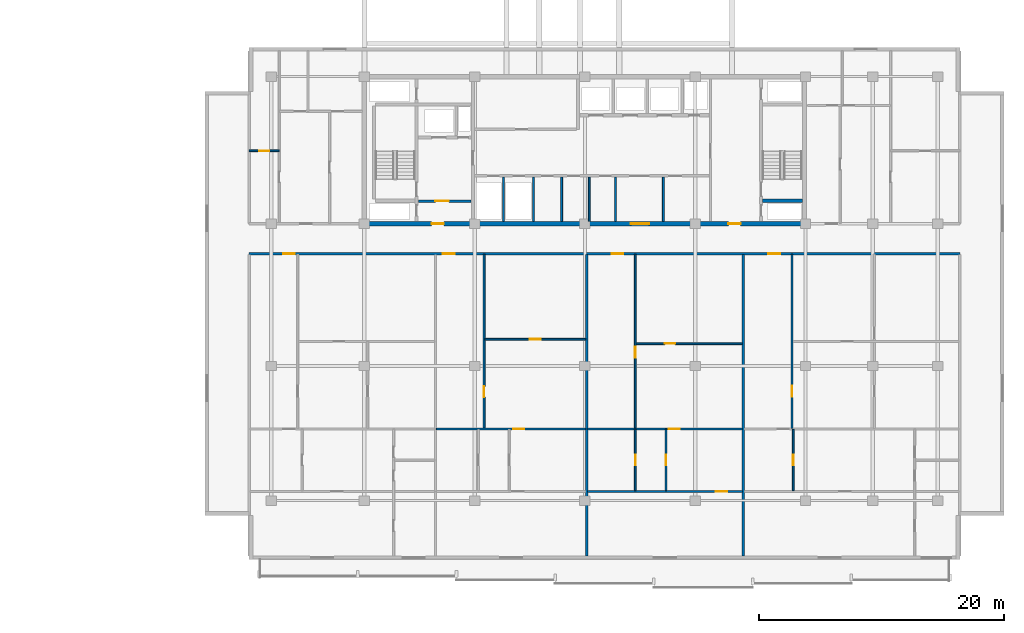
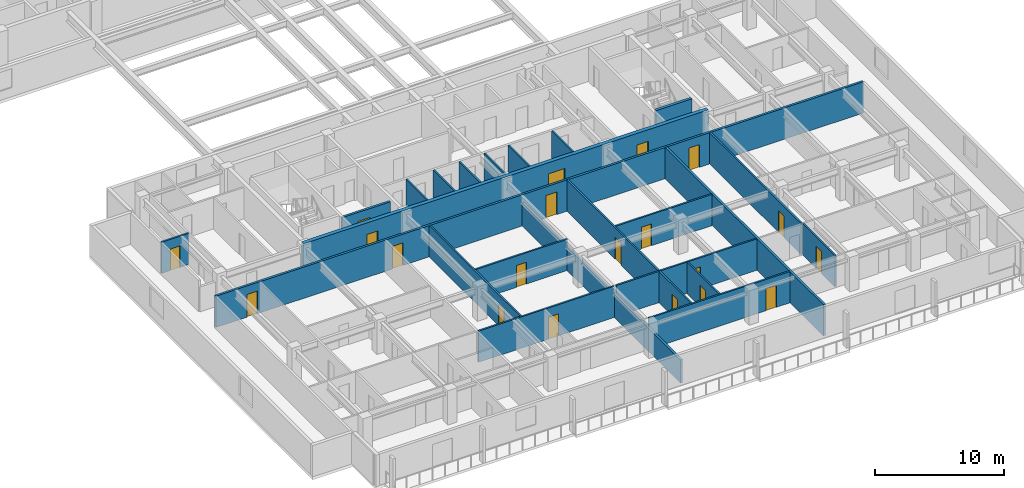
# One storey, part 5 of 21: 24 walls, 20 doors, 20 openings.
"""IFC4 building model written with IfcOpenShell, lengths in metres."""

from ifc_helpers import new_model, si_unit, direction, frame, frame_2d, origin, place, context, subcontext, project, spatial, rectangle, extrude, material, layer, layer_set, type_object, element, fill, save


model = new_model("IFC4")

# Units and contexts
model_context = context("Model", 3, precision=1e-05, world=origin(), true_north=direction((0.0, 1.0)))
body_context = subcontext(model_context, "Body", "Model", "MODEL_VIEW")
ifc_project = project(units=[si_unit("LENGTHUNIT", "METRE"), si_unit("AREAUNIT", "SQUARE_METRE"), si_unit("VOLUMEUNIT", "CUBIC_METRE"), si_unit("PLANEANGLEUNIT", "RADIAN"), si_unit("MASSUNIT", "GRAM", prefix="KILO")], contexts=[model_context])

# Site, building, storey
site_placement = place(None, origin())
site = spatial("IfcSite", under=ifc_project, at=site_placement, CompositionType="ELEMENT")
building_placement = place(site_placement, origin())
building = spatial("IfcBuilding", under=site, at=building_placement, Name="Korimba Cascade Residences", CompositionType="ELEMENT")
storey_placement = place(building_placement, frame((0.0, 0.0, 136.050048828125)))
storey = spatial("IfcBuildingStorey", under=building, at=storey_placement, Name="L39", CompositionType="ELEMENT", Elevation=136.050048828125)

# Wall, openings, doors
ifc_material_1 = material(Name="Concrete C65/80", Category="concrete")
ifc_layer_1 = layer(ifc_material_1, 0.35009765625)
ifc_layer_set_1 = layer_set([ifc_layer_1], Name="Concrete C65/80")
wall_type_1 = type_object("IfcWallType", Name="WAL-CORE-350", PredefinedType="SHEAR", material=ifc_layer_set_1)
wall_1_placement = place(storey_placement, frame((81.925048828125, 18.39990234375, 0.0), z_axis=(0.0, 0.0, 1.0), x_axis=(1.0, 0.0, 0.0)))
wall_1 = element("IfcWall", 1, at=wall_1_placement, inside=storey, type_object=wall_type_1, Name="L39 Core Shear Wall CW-L39-T2-S", PredefinedType="SHEAR", context=body_context, shape_type="SweptSolid", body=[
    extrude(rectangle(XDim=36.264892578125, YDim=0.35009765625, at=frame_2d((18.13232421875, 0.0))), origin(), (0.0, 0.0, 1.0), 3.25),
])
opening_1_placement = place(wall_1_placement, frame((5.675048828125, 0.0, 0.0)))
opening_1 = element("IfcOpeningElement", 2, at=opening_1_placement, cuts=wall_1, Name="Opening D-FD5", PredefinedType="OPENING", context=body_context, shape_type="SweptSolid", body=[
    extrude(rectangle(XDim=1.0, YDim=2.14990234375, at=frame_2d((0.5, 1.074951171875))), frame((0.0, 0.18505859375, 0.0), z_axis=(0.0, -1.0, 0.0), x_axis=(1.0, 0.0, 0.0)), (0.0, 0.0, 1.0), 0.3701171875),
])
opening_2_placement = place(wall_1_placement, frame((21.925048828125, 0.0, 0.0)))
opening_2 = element("IfcOpeningElement", 3, at=opening_2_placement, cuts=wall_1, Name="Opening D-FD8", PredefinedType="OPENING", context=body_context, shape_type="SweptSolid", body=[
    extrude(rectangle(XDim=1.5, YDim=2.199951171875, at=frame_2d((0.75, 1.10009765625))), frame((0.0, 0.18505859375, 0.0), z_axis=(0.0, -1.0, 0.0), x_axis=(1.0, 0.0, 0.0)), (0.0, 0.0, 1.0), 0.3701171875),
])
opening_3_placement = place(wall_1_placement, frame((29.875, 0.0, 0.0)))
opening_3 = element("IfcOpeningElement", 4, at=opening_3_placement, cuts=wall_1, Name="Opening D-FD5", PredefinedType="OPENING", context=body_context, shape_type="SweptSolid", body=[
    extrude(rectangle(XDim=1.0, YDim=2.14990234375, at=frame_2d((0.5, 1.074951171875))), frame((0.0, 0.18505859375, 0.0), z_axis=(0.0, -1.0, 0.0), x_axis=(1.0, 0.0, 0.0)), (0.0, 0.0, 1.0), 0.3701171875),
])
ifc_material_2 = material(Name="Fire-Rated Acoustic Timber Vestibule Door", Category="wood")
door_type_1 = type_object("IfcDoorType", Name="DR-FD90-1000", OperationType="NOTDEFINED", PredefinedType="DOOR", material=ifc_material_2)
door_1_placement = place(opening_1_placement, origin())
door_1 = element("IfcDoor", 5, at=door_1_placement, inside=storey, type_object=door_type_1, Name="L39 T2 West Core Vestibule Fire Door", OperationType="SINGLE_SWING_RIGHT", OverallHeight=2.14990234375, OverallWidth=1.0, PredefinedType="DOOR", context=body_context, shape_type="SweptSolid", body=[
    extrude(rectangle(XDim=1.0, YDim=2.14990234375, at=frame_2d((0.5, 1.074951171875))), frame((0.0, 0.02490234375, 0.0), z_axis=(0.0, -1.0, 0.0), x_axis=(1.0, 0.0, 0.0)), (0.0, 0.0, 1.0), 0.050048828125),
])
fill(opening_1, door_1)
door_2_placement = place(opening_3_placement, origin())
door_2 = element("IfcDoor", 6, at=door_2_placement, inside=storey, type_object=door_type_1, Name="L39 T2 East Stair Vestibule Fire Door", OperationType="SINGLE_SWING_LEFT", OverallHeight=2.14990234375, OverallWidth=1.0, PredefinedType="DOOR", context=body_context, shape_type="SweptSolid", body=[
    extrude(rectangle(XDim=1.0, YDim=2.14990234375, at=frame_2d((0.5, 1.074951171875))), frame((0.0, 0.02490234375, 0.0), z_axis=(0.0, -1.0, 0.0), x_axis=(1.0, 0.0, 0.0)), (0.0, 0.0, 1.0), 0.050048828125),
])
fill(opening_3, door_2)
ifc_material_3 = material(Name="Fire-Rated Glazed Lift Lobby Double Door", Category="glass")
door_type_2 = type_object("IfcDoorType", Name="DR-FD90-1500", OperationType="NOTDEFINED", PredefinedType="DOOR", material=ifc_material_3)
door_3_placement = place(opening_2_placement, origin())
door_3 = element("IfcDoor", 7, at=door_3_placement, inside=storey, type_object=door_type_2, Name="L39 T2 Lift Lobby Fire Door", OperationType="DOUBLE_DOOR_SINGLE_SWING", OverallHeight=2.199951171875, OverallWidth=1.5, PredefinedType="DOOR", context=body_context, shape_type="SweptSolid", body=[
    extrude(rectangle(XDim=1.5, YDim=2.199951171875, at=frame_2d((0.75, 1.10009765625))), frame((0.0, 0.02490234375, 0.0), z_axis=(0.0, -1.0, 0.0), x_axis=(1.0, 0.0, 0.0)), (0.0, 0.0, 1.0), 0.050048828125),
])
fill(opening_2, door_3)

# Walls
ifc_material_4 = material(Name="Precast concrete C40/50", Category="concrete")
ifc_layer_2 = layer(ifc_material_4, 0.199951171875)
ifc_layer_set_2 = layer_set([ifc_layer_2], Name="Precast concrete C40/50")
wall_type_2 = type_object("IfcWallType", Name="WAL-IT-200", PredefinedType="PARTITIONING", material=ifc_layer_set_2)
wall_2_placement = place(storey_placement, frame((100.24169921875, -8.699951171875, 0.0), z_axis=(0.0, 0.0, 1.0), x_axis=(0.0, 1.0, 0.0)))
element("IfcWall", 8, at=wall_2_placement, inside=storey, type_object=wall_type_2, Name="L39 Partition Wall WAL-L39-T2-DEM-2", PredefinedType="PARTITIONING", context=body_context, shape_type="SweptSolid", body=[
    extrude(rectangle(XDim=24.570068359375, YDim=0.199951171875, at=frame_2d((12.28515625, 0.0))), origin(), (0.0, 0.0, 1.0), 2.190185546875),
])
wall_3_placement = place(storey_placement, frame((113.033203125, -8.699951171875, 0.0), z_axis=(0.0, 0.0, 1.0), x_axis=(0.0, 1.0, 0.0)))
element("IfcWall", 9, at=wall_3_placement, inside=storey, type_object=wall_type_2, Name="L39 Partition Wall WAL-L39-T2-DEM-3", PredefinedType="PARTITIONING", context=body_context, shape_type="SweptSolid", body=[
    extrude(rectangle(XDim=24.570068359375, YDim=0.199951171875, at=frame_2d((12.28515625, 0.0))), origin(), (0.0, 0.0, 1.0), 2.9599609375),
])

# Wall, openings, doors
wall_4_placement = place(storey_placement, frame((72.699951171875, 15.949951171875, 0.0), z_axis=(0.0, 0.0, 1.0), x_axis=(1.0, 0.0, 0.0)))
wall_4 = element("IfcWall", 10, at=wall_4_placement, inside=storey, type_object=wall_type_2, Name="L39 Partition Wall WAL-L39-T2-CORS", PredefinedType="PARTITIONING", context=body_context, shape_type="SweptSolid", body=[
    extrude(rectangle(XDim=58.0, YDim=0.199951171875, at=frame_2d((29.0, 0.0))), origin(), (0.0, 0.0, 1.0), 2.9599609375),
])
opening_4_placement = place(wall_4_placement, frame((2.77001953125, 0.0, 0.0)))
opening_4 = element("IfcOpeningElement", 11, at=opening_4_placement, cuts=wall_4, Name="Opening D-UN1", PredefinedType="OPENING", context=body_context, shape_type="SweptSolid", body=[
    extrude(rectangle(XDim=0.949951171875, YDim=2.14990234375, at=frame_2d((0.47509765625, 1.074951171875))), frame((0.0, 0.10986328125, 0.0), z_axis=(0.0, -1.0, 0.0), x_axis=(1.0, 0.0, 0.0)), (0.0, 0.0, 1.0), 0.219970703125),
])
opening_5_placement = place(wall_4_placement, frame((15.818359375, 0.0, 0.0)))
opening_5 = element("IfcOpeningElement", 12, at=opening_5_placement, cuts=wall_4, Name="Opening D-UN1", PredefinedType="OPENING", context=body_context, shape_type="SweptSolid", body=[
    extrude(rectangle(XDim=0.949951171875, YDim=2.14990234375, at=frame_2d((0.47509765625, 1.074951171875))), frame((0.0, 0.10986328125, 0.0), z_axis=(0.0, -1.0, 0.0), x_axis=(1.0, 0.0, 0.0)), (0.0, 0.0, 1.0), 0.219970703125),
])
opening_6_placement = place(wall_4_placement, frame((29.586669921875, 0.0, 0.0)))
opening_6 = element("IfcOpeningElement", 13, at=opening_6_placement, cuts=wall_4, Name="Opening D-UN1", PredefinedType="OPENING", context=body_context, shape_type="SweptSolid", body=[
    extrude(rectangle(XDim=0.949951171875, YDim=2.14990234375, at=frame_2d((0.47509765625, 1.074951171875))), frame((0.0, 0.10986328125, 0.0), z_axis=(0.0, -1.0, 0.0), x_axis=(1.0, 0.0, 0.0)), (0.0, 0.0, 1.0), 0.219970703125),
])
opening_7_placement = place(wall_4_placement, frame((42.37841796875, 0.0, 0.0)))
opening_7 = element("IfcOpeningElement", 14, at=opening_7_placement, cuts=wall_4, Name="Opening D-UN1", PredefinedType="OPENING", context=body_context, shape_type="SweptSolid", body=[
    extrude(rectangle(XDim=0.949951171875, YDim=2.14990234375, at=frame_2d((0.47509765625, 1.074951171875))), frame((0.0, 0.10986328125, 0.0), z_axis=(0.0, -1.0, 0.0), x_axis=(1.0, 0.0, 0.0)), (0.0, 0.0, 1.0), 0.219970703125),
])
ifc_material_5 = material(Name="Fire-Rated Hardwood Apartment Entrance Door", Category="wood")
door_type_3 = type_object("IfcDoorType", Name="DR-FD60-950", OperationType="NOTDEFINED", PredefinedType="DOOR", material=ifc_material_5)
door_4_placement = place(opening_4_placement, origin())
door_4 = element("IfcDoor", 15, at=door_4_placement, inside=storey, type_object=door_type_3, Name="Unit L39-T2-U01 Entrance Door", OperationType="SINGLE_SWING_LEFT", OverallHeight=2.14990234375, OverallWidth=0.949951171875, PredefinedType="DOOR", context=body_context, shape_type="SweptSolid", body=[
    extrude(rectangle(XDim=0.949951171875, YDim=2.14990234375, at=frame_2d((0.47509765625, 1.074951171875))), frame((0.0, 0.02490234375, 0.0), z_axis=(0.0, -1.0, 0.0), x_axis=(1.0, 0.0, 0.0)), (0.0, 0.0, 1.0), 0.050048828125),
])
fill(opening_4, door_4)
door_5_placement = place(opening_5_placement, origin())
door_5 = element("IfcDoor", 16, at=door_5_placement, inside=storey, type_object=door_type_3, Name="Unit L39-T2-U02 Entrance Door", OperationType="SINGLE_SWING_RIGHT", OverallHeight=2.14990234375, OverallWidth=0.949951171875, PredefinedType="DOOR", context=body_context, shape_type="SweptSolid", body=[
    extrude(rectangle(XDim=0.949951171875, YDim=2.14990234375, at=frame_2d((0.47509765625, 1.074951171875))), frame((0.0, 0.02490234375, 0.0), z_axis=(0.0, -1.0, 0.0), x_axis=(1.0, 0.0, 0.0)), (0.0, 0.0, 1.0), 0.050048828125),
])
fill(opening_5, door_5)
door_6_placement = place(opening_6_placement, origin())
door_6 = element("IfcDoor", 17, at=door_6_placement, inside=storey, type_object=door_type_3, Name="Unit L39-T2-U03 Entrance Door", OperationType="SINGLE_SWING_LEFT", OverallHeight=2.14990234375, OverallWidth=0.949951171875, PredefinedType="DOOR", context=body_context, shape_type="SweptSolid", body=[
    extrude(rectangle(XDim=0.949951171875, YDim=2.14990234375, at=frame_2d((0.47509765625, 1.074951171875))), frame((0.0, 0.02490234375, 0.0), z_axis=(0.0, -1.0, 0.0), x_axis=(1.0, 0.0, 0.0)), (0.0, 0.0, 1.0), 0.050048828125),
])
fill(opening_6, door_6)
door_7_placement = place(opening_7_placement, origin())
door_7 = element("IfcDoor", 18, at=door_7_placement, inside=storey, type_object=door_type_3, Name="Unit L39-T2-U04 Entrance Door", OperationType="SINGLE_SWING_RIGHT", OverallHeight=2.14990234375, OverallWidth=0.949951171875, PredefinedType="DOOR", context=body_context, shape_type="SweptSolid", body=[
    extrude(rectangle(XDim=0.949951171875, YDim=2.14990234375, at=frame_2d((0.47509765625, 1.074951171875))), frame((0.0, 0.02490234375, 0.0), z_axis=(0.0, -1.0, 0.0), x_axis=(1.0, 0.0, 0.0)), (0.0, 0.0, 1.0), 0.050048828125),
])
fill(opening_7, door_7)

# Walls
ifc_material_6 = material(Name="Insulated Acoustic Stud Partition", Category="gypsum")
ifc_layer_3 = layer(ifc_material_6, 0.14990234375)
ifc_layer_set_3 = layer_set([ifc_layer_3], Name="Insulated Acoustic Stud Partition")
wall_type_3 = type_object("IfcWallType", Name="WAL-PART-150", PredefinedType="PARTITIONING", material=ifc_layer_set_3)
for number, where, z_axis, x_axis, name in (
    (19, (93.449951171875, 18.60009765625, 0.0), (0.0, 0.0, 1.0), (0.0, 1.0, 0.0), "L39 Partition Wall CW-L39-T2-ERDIV"),
    (20, (95.89990234375, 18.60009765625, 0.0), (0.0, 0.0, 1.0), (0.0, 1.0, 0.0), "L39 Partition Wall CW-L39-T2-PRDIV"),
    (21, (98.199951171875, 18.60009765625, 0.0), (0.0, 0.0, 1.0), (0.0, 1.0, 0.0), "L39 Partition Wall CW-L39-T2-CA1W1"),
    (22, (100.449951171875, 18.60009765625, 0.0), (0.0, 0.0, 1.0), (0.0, 1.0, 0.0), "L39 Partition Wall CW-L39-T2-CA1W2"),
    (23, (102.60009765625, 18.60009765625, 0.0), (0.0, 0.0, 1.0), (0.0, 1.0, 0.0), "L39 Partition Wall CW-L39-T2-THW"),
    (24, (106.5, 18.60009765625, 0.0), (0.0, 0.0, 1.0), (0.0, 1.0, 0.0), "L39 Partition Wall CW-L39-T2-THE"),
):
    element("IfcWall", number, at=place(storey_placement, frame(where, z_axis=z_axis, x_axis=x_axis)), inside=storey, type_object=wall_type_3, Name=name, PredefinedType="PARTITIONING", context=body_context, shape_type="SweptSolid", body=[
        extrude(rectangle(XDim=3.599853515625, YDim=0.14990234375, at=frame_2d((1.7998046875, 0.0))), origin(), (0.0, 0.0, 1.0), 2.9599609375),
    ])

# Wall, opening, door
wall_5_placement = place(storey_placement, frame((72.699951171875, 24.35009765625, 0.0), z_axis=(0.0, 0.0, 1.0), x_axis=(1.0, 0.0, 0.0)))
wall_5 = element("IfcWall", 25, at=wall_5_placement, inside=storey, type_object=wall_type_3, Name="L39 Partition Wall WAL-L39-T2-FW-STH", PredefinedType="PARTITIONING", context=body_context, shape_type="SweptSolid", body=[
    extrude(rectangle(XDim=2.449951171875, YDim=0.14990234375, at=frame_2d((1.22509765625, 0.0))), origin(), (0.0, 0.0, 1.0), 2.9599609375),
])
opening_8_placement = place(wall_5_placement, frame((0.804931640625, 0.0, 0.0)))
opening_8 = element("IfcOpeningElement", 26, at=opening_8_placement, cuts=wall_5, Name="Opening D-BT1", PredefinedType="OPENING", context=body_context, shape_type="SweptSolid", body=[
    extrude(rectangle(XDim=0.840087890625, YDim=2.0400390625, at=frame_2d((0.419921875, 1.02001953125))), frame((0.0, 0.0849609375, 0.0), z_axis=(0.0, -1.0, 0.0), x_axis=(1.0, 0.0, 0.0)), (0.0, 0.0, 1.0), 0.169921875),
])
ifc_material_7 = material(Name="Moisture-Resistant Bathroom Timber Door", Category="wood")
door_type_4 = type_object("IfcDoorType", Name="DR-INT-850", OperationType="NOTDEFINED", PredefinedType="DOOR", material=ifc_material_7)
door_8_placement = place(opening_8_placement, origin())
door_8 = element("IfcDoor", 27, at=door_8_placement, inside=storey, type_object=door_type_4, Name="L39-T2-FW Dressing Store Door", OperationType="SINGLE_SWING_RIGHT", OverallHeight=2.0400390625, OverallWidth=0.840087890625, PredefinedType="DOOR", context=body_context, shape_type="SweptSolid", body=[
    extrude(rectangle(XDim=0.840087890625, YDim=2.0400390625, at=frame_2d((0.419921875, 1.02001953125))), frame((0.0, 0.02490234375, 0.0), z_axis=(0.0, -1.0, 0.0), x_axis=(1.0, 0.0, 0.0)), (0.0, 0.0, 1.0), 0.050048828125),
])
fill(opening_8, door_8)

wall_6_placement = place(storey_placement, frame((91.938232421875, 8.969970703125, 0.0), z_axis=(0.0, 0.0, 1.0), x_axis=(1.0, 0.0, 0.0)))
wall_6 = element("IfcWall", 28, at=wall_6_placement, inside=storey, type_object=wall_type_3, Name="L39 Partition Wall WAL-L39-T2-U02-FMH", PredefinedType="PARTITIONING", context=body_context, shape_type="SweptSolid", body=[
    extrude(rectangle(XDim=8.223388671875, YDim=0.14990234375, at=frame_2d((4.11181640625, 0.0))), origin(), (0.0, 0.0, 1.0), 2.9599609375),
])
opening_9_placement = place(wall_6_placement, frame((3.671630859375, 0.0, 0.0)))
opening_9 = element("IfcOpeningElement", 29, at=opening_9_placement, cuts=wall_6, Name="Opening D-IN2", PredefinedType="OPENING", context=body_context, shape_type="SweptSolid", body=[
    extrude(rectangle(XDim=0.8798828125, YDim=2.06005859375, at=frame_2d((0.43994140625, 1.030029296875))), frame((0.0, 0.0849609375, 0.0), z_axis=(0.0, -1.0, 0.0), x_axis=(1.0, 0.0, 0.0)), (0.0, 0.0, 1.0), 0.169921875),
])
ifc_material_8 = material(Name="Acoustic Timber Bedroom Door", Category="wood")
door_type_5 = type_object("IfcDoorType", Name="DR-INT-880", OperationType="NOTDEFINED", PredefinedType="DOOR", material=ifc_material_8)
door_9_placement = place(opening_9_placement, origin())
door_9 = element("IfcDoor", 30, at=door_9_placement, inside=storey, type_object=door_type_5, Name="L39-T2-U02 Library Salon Door", OperationType="SINGLE_SWING_LEFT", OverallHeight=2.06005859375, OverallWidth=0.8798828125, PredefinedType="DOOR", context=body_context, shape_type="SweptSolid", body=[
    extrude(rectangle(XDim=0.8798828125, YDim=2.06005859375, at=frame_2d((0.43994140625, 1.030029296875))), frame((0.0, 0.02490234375, 0.0), z_axis=(0.0, -1.0, 0.0), x_axis=(1.0, 0.0, 0.0)), (0.0, 0.0, 1.0), 0.050048828125),
])
fill(opening_9, door_9)

wall_7_placement = place(storey_placement, frame((91.87841796875, 1.68994140625, 0.0), z_axis=(0.0, 0.0, 1.0), x_axis=(0.0, 1.0, 0.0)))
wall_7 = element("IfcWall", 31, at=wall_7_placement, inside=storey, type_object=wall_type_3, Name="L39 Partition Wall WAL-L39-T2-U02-FV", PredefinedType="PARTITIONING", context=body_context, shape_type="SweptSolid", body=[
    extrude(rectangle(XDim=14.199951171875, YDim=0.14990234375, at=frame_2d((7.10009765625, 0.0))), origin(), (0.0, 0.0, 1.0), 2.9599609375),
])
opening_10_placement = place(wall_7_placement, frame((2.553955078125, 0.0, 0.0)))
opening_10 = element("IfcOpeningElement", 32, at=opening_10_placement, cuts=wall_7, Name="Opening D-IN2", PredefinedType="OPENING", context=body_context, shape_type="SweptSolid", body=[
    extrude(rectangle(XDim=0.8798828125, YDim=2.06005859375, at=frame_2d((0.43994140625, 1.030029296875))), frame((0.0, 0.0849609375, 0.0), z_axis=(0.0, -1.0, 0.0), x_axis=(1.0, 0.0, 0.0)), (0.0, 0.0, 1.0), 0.169921875),
])
door_10_placement = place(opening_10_placement, origin())
door_10 = element("IfcDoor", 33, at=door_10_placement, inside=storey, type_object=door_type_5, Name="L39-T2-U02 Media Lounge Door", OperationType="SINGLE_SWING_RIGHT", OverallHeight=2.06005859375, OverallWidth=0.8798828125, PredefinedType="DOOR", context=body_context, shape_type="SweptSolid", body=[
    extrude(rectangle(XDim=0.8798828125, YDim=2.06005859375, at=frame_2d((0.43994140625, 1.030029296875))), frame((0.0, 0.02490234375, 0.0), z_axis=(0.0, -1.0, 0.0), x_axis=(1.0, 0.0, 0.0)), (0.0, 0.0, 1.0), 0.050048828125),
])
fill(opening_10, door_10)

wall_8_placement = place(storey_placement, frame((87.98828125, 1.64990234375, 0.0), z_axis=(0.0, 0.0, 1.0), x_axis=(1.0, 0.0, 0.0)))
wall_8 = element("IfcWall", 34, at=wall_8_placement, inside=storey, type_object=wall_type_3, Name="L39 Partition Wall WAL-L39-T2-U02-MW", PredefinedType="PARTITIONING", context=body_context, shape_type="SweptSolid", body=[
    extrude(rectangle(XDim=12.17333984375, YDim=0.14990234375, at=frame_2d((6.086669921875, 0.0))), origin(), (0.0, 0.0, 1.0), 2.9599609375),
])
opening_11_placement = place(wall_8_placement, frame((6.24951171875, 0.0, 0.0)))
opening_11 = element("IfcOpeningElement", 35, at=opening_11_placement, cuts=wall_8, Name="Opening D-IN1", PredefinedType="OPENING", context=body_context, shape_type="SweptSolid", body=[
    extrude(rectangle(XDim=0.919921875, YDim=2.080078125, at=frame_2d((0.4599609375, 1.0400390625))), frame((0.0, 0.0849609375, 0.0), z_axis=(0.0, -1.0, 0.0), x_axis=(1.0, 0.0, 0.0)), (0.0, 0.0, 1.0), 0.169921875),
])
ifc_material_9 = material(Name="Acoustic Timber Living Door", Category="wood")
door_type_6 = type_object("IfcDoorType", Name="DR-INT-920", OperationType="NOTDEFINED", PredefinedType="DOOR", material=ifc_material_9)
door_11_placement = place(opening_11_placement, origin())
door_11 = element("IfcDoor", 36, at=door_11_placement, inside=storey, type_object=door_type_6, Name="L39-T2-U02 Studio Kitchen Door", OperationType="SINGLE_SWING_LEFT", OverallHeight=2.080078125, OverallWidth=0.919921875, PredefinedType="DOOR", context=body_context, shape_type="SweptSolid", body=[
    extrude(rectangle(XDim=0.919921875, YDim=2.080078125, at=frame_2d((0.4599609375, 1.0400390625))), frame((0.0, 0.02490234375, 0.0), z_axis=(0.0, -1.0, 0.0), x_axis=(1.0, 0.0, 0.0)), (0.0, 0.0, 1.0), 0.050048828125),
])
fill(opening_11, door_11)

wall_9_placement = place(storey_placement, frame((104.271484375, 8.610107421875, 0.0), z_axis=(0.0, 0.0, 1.0), x_axis=(1.0, 0.0, 0.0)))
wall_9 = element("IfcWall", 37, at=wall_9_placement, inside=storey, type_object=wall_type_3, Name="L39 Partition Wall WAL-L39-T2-U03-FMH", PredefinedType="PARTITIONING", context=body_context, shape_type="SweptSolid", body=[
    extrude(rectangle(XDim=8.681884765625, YDim=0.14990234375, at=frame_2d((4.3408203125, 0.0))), origin(), (0.0, 0.0, 1.0), 2.9599609375),
])
opening_12_placement = place(wall_9_placement, frame((2.33837890625, 0.0, 0.0)))
opening_12 = element("IfcOpeningElement", 38, at=opening_12_placement, cuts=wall_9, Name="Opening D-IN2", PredefinedType="OPENING", context=body_context, shape_type="SweptSolid", body=[
    extrude(rectangle(XDim=0.8798828125, YDim=2.06005859375, at=frame_2d((0.43994140625, 1.030029296875))), frame((0.0, 0.0849609375, 0.0), z_axis=(0.0, -1.0, 0.0), x_axis=(1.0, 0.0, 0.0)), (0.0, 0.0, 1.0), 0.169921875),
])
door_12_placement = place(opening_12_placement, origin())
door_12 = element("IfcDoor", 39, at=door_12_placement, inside=storey, type_object=door_type_5, Name="L39-T2-U03 Library Salon Door", OperationType="SINGLE_SWING_LEFT", OverallHeight=2.06005859375, OverallWidth=0.8798828125, PredefinedType="DOOR", context=body_context, shape_type="SweptSolid", body=[
    extrude(rectangle(XDim=0.8798828125, YDim=2.06005859375, at=frame_2d((0.43994140625, 1.030029296875))), frame((0.0, 0.02490234375, 0.0), z_axis=(0.0, -1.0, 0.0), x_axis=(1.0, 0.0, 0.0)), (0.0, 0.0, 1.0), 0.050048828125),
])
fill(opening_12, door_12)

wall_10_placement = place(storey_placement, frame((104.211669921875, 1.68994140625, 0.0), z_axis=(0.0, 0.0, 1.0), x_axis=(0.0, 1.0, 0.0)))
wall_10 = element("IfcWall", 40, at=wall_10_placement, inside=storey, type_object=wall_type_3, Name="L39 Partition Wall WAL-L39-T2-U03-FV", PredefinedType="PARTITIONING", context=body_context, shape_type="SweptSolid", body=[
    extrude(rectangle(XDim=14.199951171875, YDim=0.14990234375, at=frame_2d((7.10009765625, 0.0))), origin(), (0.0, 0.0, 1.0), 2.9599609375),
])
opening_13_placement = place(wall_10_placement, frame((5.7900390625, 0.0, 0.0)))
opening_13 = element("IfcOpeningElement", 41, at=opening_13_placement, cuts=wall_10, Name="Opening D-IN2", PredefinedType="OPENING", context=body_context, shape_type="SweptSolid", body=[
    extrude(rectangle(XDim=0.8798828125, YDim=2.06005859375, at=frame_2d((0.43994140625, 1.030029296875))), frame((0.0, 0.0849609375, 0.0), z_axis=(0.0, -1.0, 0.0), x_axis=(1.0, 0.0, 0.0)), (0.0, 0.0, 1.0), 0.169921875),
])
door_13_placement = place(opening_13_placement, origin())
door_13 = element("IfcDoor", 42, at=door_13_placement, inside=storey, type_object=door_type_5, Name="L39-T2-U03 Media Lounge Door", OperationType="SINGLE_SWING_RIGHT", OverallHeight=2.06005859375, OverallWidth=0.8798828125, PredefinedType="DOOR", context=body_context, shape_type="SweptSolid", body=[
    extrude(rectangle(XDim=0.8798828125, YDim=2.06005859375, at=frame_2d((0.43994140625, 1.030029296875))), frame((0.0, 0.02490234375, 0.0), z_axis=(0.0, -1.0, 0.0), x_axis=(1.0, 0.0, 0.0)), (0.0, 0.0, 1.0), 0.050048828125),
])
fill(opening_13, door_13)

wall_11_placement = place(storey_placement, frame((104.21337890625, -3.389892578125, 0.0), z_axis=(0.0, 0.0, 1.0), x_axis=(0.0, 1.0, 0.0)))
wall_11 = element("IfcWall", 43, at=wall_11_placement, inside=storey, type_object=wall_type_3, Name="L39 Partition Wall WAL-L39-T2-U03-CLS", PredefinedType="PARTITIONING", context=body_context, shape_type="SweptSolid", body=[
    extrude(rectangle(XDim=5.0, YDim=0.14990234375, at=frame_2d((2.5, 0.0))), origin(), (0.0, 0.0, 1.0), 2.9599609375),
])
opening_14_placement = place(wall_11_placement, frame((2.080078125, 0.0, 0.0)))
opening_14 = element("IfcOpeningElement", 44, at=opening_14_placement, cuts=wall_11, Name="Opening D-BT1", PredefinedType="OPENING", context=body_context, shape_type="SweptSolid", body=[
    extrude(rectangle(XDim=0.840087890625, YDim=2.0400390625, at=frame_2d((0.419921875, 1.02001953125))), frame((0.0, 0.0849609375, 0.0), z_axis=(0.0, -1.0, 0.0), x_axis=(1.0, 0.0, 0.0)), (0.0, 0.0, 1.0), 0.169921875),
])
door_14_placement = place(opening_14_placement, origin())
door_14 = element("IfcDoor", 45, at=door_14_placement, inside=storey, type_object=door_type_4, Name="L39-T2-U03 Closet Door", OperationType="SINGLE_SWING_LEFT", OverallHeight=2.0400390625, OverallWidth=0.840087890625, PredefinedType="DOOR", context=body_context, shape_type="SweptSolid", body=[
    extrude(rectangle(XDim=0.840087890625, YDim=2.0400390625, at=frame_2d((0.419921875, 1.02001953125))), frame((0.0, 0.02490234375, 0.0), z_axis=(0.0, -1.0, 0.0), x_axis=(1.0, 0.0, 0.0)), (0.0, 0.0, 1.0), 0.050048828125),
])
fill(opening_14, door_14)

wall_12_placement = place(storey_placement, frame((106.71337890625, -3.389892578125, 0.0), z_axis=(0.0, 0.0, 1.0), x_axis=(0.0, 1.0, 0.0)))
wall_12 = element("IfcWall", 46, at=wall_12_placement, inside=storey, type_object=wall_type_3, Name="L39 Partition Wall WAL-L39-T2-U03-BM", PredefinedType="PARTITIONING", context=body_context, shape_type="SweptSolid", body=[
    extrude(rectangle(XDim=5.0, YDim=0.14990234375, at=frame_2d((2.5, 0.0))), origin(), (0.0, 0.0, 1.0), 2.9599609375),
])
opening_15_placement = place(wall_12_placement, frame((2.080078125, 0.0, 0.0)))
opening_15 = element("IfcOpeningElement", 47, at=opening_15_placement, cuts=wall_12, Name="Opening D-BT1", PredefinedType="OPENING", context=body_context, shape_type="SweptSolid", body=[
    extrude(rectangle(XDim=0.840087890625, YDim=2.0400390625, at=frame_2d((0.419921875, 1.02001953125))), frame((0.0, 0.0849609375, 0.0), z_axis=(0.0, -1.0, 0.0), x_axis=(1.0, 0.0, 0.0)), (0.0, 0.0, 1.0), 0.169921875),
])
door_15_placement = place(opening_15_placement, origin())
door_15 = element("IfcDoor", 48, at=door_15_placement, inside=storey, type_object=door_type_4, Name="L39-T2-U03 Bathroom Door", OperationType="SINGLE_SWING_RIGHT", OverallHeight=2.0400390625, OverallWidth=0.840087890625, PredefinedType="DOOR", context=body_context, shape_type="SweptSolid", body=[
    extrude(rectangle(XDim=0.840087890625, YDim=2.0400390625, at=frame_2d((0.419921875, 1.02001953125))), frame((0.0, 0.02490234375, 0.0), z_axis=(0.0, -1.0, 0.0), x_axis=(1.0, 0.0, 0.0)), (0.0, 0.0, 1.0), 0.050048828125),
])
fill(opening_15, door_15)

wall_13_placement = place(storey_placement, frame((100.321533203125, 1.64990234375, 0.0), z_axis=(0.0, 0.0, 1.0), x_axis=(1.0, 0.0, 0.0)))
wall_13 = element("IfcWall", 49, at=wall_13_placement, inside=storey, type_object=wall_type_3, Name="L39 Partition Wall WAL-L39-T2-U03-MW", PredefinedType="PARTITIONING", context=body_context, shape_type="SweptSolid", body=[
    extrude(rectangle(XDim=12.6318359375, YDim=0.14990234375, at=frame_2d((6.31591796875, 0.0))), origin(), (0.0, 0.0, 1.0), 2.9599609375),
])
opening_16_placement = place(wall_13_placement, frame((6.61181640625, 0.0, 0.0)))
opening_16 = element("IfcOpeningElement", 50, at=opening_16_placement, cuts=wall_13, Name="Opening D-IN1", PredefinedType="OPENING", context=body_context, shape_type="SweptSolid", body=[
    extrude(rectangle(XDim=0.919921875, YDim=2.080078125, at=frame_2d((0.4599609375, 1.0400390625))), frame((0.0, 0.0849609375, 0.0), z_axis=(0.0, -1.0, 0.0), x_axis=(1.0, 0.0, 0.0)), (0.0, 0.0, 1.0), 0.169921875),
])
door_16_placement = place(opening_16_placement, origin())
door_16 = element("IfcDoor", 51, at=door_16_placement, inside=storey, type_object=door_type_6, Name="L39-T2-U03 Studio Kitchen Door", OperationType="SINGLE_SWING_LEFT", OverallHeight=2.080078125, OverallWidth=0.919921875, PredefinedType="DOOR", context=body_context, shape_type="SweptSolid", body=[
    extrude(rectangle(XDim=0.919921875, YDim=2.080078125, at=frame_2d((0.4599609375, 1.0400390625))), frame((0.0, 0.02490234375, 0.0), z_axis=(0.0, -1.0, 0.0), x_axis=(1.0, 0.0, 0.0)), (0.0, 0.0, 1.0), 0.050048828125),
])
fill(opening_16, door_16)

wall_14_placement = place(storey_placement, frame((100.321533203125, -3.449951171875, 0.0), z_axis=(0.0, 0.0, 1.0), x_axis=(1.0, 0.0, 0.0)))
wall_14 = element("IfcWall", 52, at=wall_14_placement, inside=storey, type_object=wall_type_3, Name="L39 Partition Wall WAL-L39-T2-U03-HZ", PredefinedType="PARTITIONING", context=body_context, shape_type="SweptSolid", body=[
    extrude(rectangle(XDim=12.6318359375, YDim=0.14990234375, at=frame_2d((6.31591796875, 0.0))), origin(), (0.0, 0.0, 1.0), 2.9599609375),
])
opening_17_placement = place(wall_14_placement, frame((10.4658203125, 0.0, 0.0)))
opening_17 = element("IfcOpeningElement", 53, at=opening_17_placement, cuts=wall_14, Name="Opening D-IN1", PredefinedType="OPENING", context=body_context, shape_type="SweptSolid", body=[
    extrude(rectangle(XDim=0.919921875, YDim=2.080078125, at=frame_2d((0.4599609375, 1.0400390625))), frame((0.0, 0.0849609375, 0.0), z_axis=(0.0, -1.0, 0.0), x_axis=(1.0, 0.0, 0.0)), (0.0, 0.0, 1.0), 0.169921875),
])
door_17_placement = place(opening_17_placement, origin())
door_17 = element("IfcDoor", 54, at=door_17_placement, inside=storey, type_object=door_type_6, Name="L39-T2-U03 Studio Door", OperationType="SINGLE_SWING_RIGHT", OverallHeight=2.080078125, OverallWidth=0.919921875, PredefinedType="DOOR", context=body_context, shape_type="SweptSolid", body=[
    extrude(rectangle(XDim=0.919921875, YDim=2.080078125, at=frame_2d((0.4599609375, 1.0400390625))), frame((0.0, 0.02490234375, 0.0), z_axis=(0.0, -1.0, 0.0), x_axis=(1.0, 0.0, 0.0)), (0.0, 0.0, 1.0), 0.050048828125),
])
fill(opening_17, door_17)

wall_15_placement = place(storey_placement, frame((117.00341796875, 1.68994140625, 0.0), z_axis=(0.0, 0.0, 1.0), x_axis=(0.0, 1.0, 0.0)))
wall_15 = element("IfcWall", 55, at=wall_15_placement, inside=storey, type_object=wall_type_3, Name="L39 Partition Wall WAL-L39-T2-U04-FV", PredefinedType="PARTITIONING", context=body_context, shape_type="SweptSolid", body=[
    extrude(rectangle(XDim=14.199951171875, YDim=0.14990234375, at=frame_2d((7.10009765625, 0.0))), origin(), (0.0, 0.0, 1.0), 2.9599609375),
])
opening_18_placement = place(wall_15_placement, frame((2.597900390625, 0.0, 0.0)))
opening_18 = element("IfcOpeningElement", 56, at=opening_18_placement, cuts=wall_15, Name="Opening D-IN2", PredefinedType="OPENING", context=body_context, shape_type="SweptSolid", body=[
    extrude(rectangle(XDim=0.8798828125, YDim=2.06005859375, at=frame_2d((0.43994140625, 1.030029296875))), frame((0.0, 0.0849609375, 0.0), z_axis=(0.0, -1.0, 0.0), x_axis=(1.0, 0.0, 0.0)), (0.0, 0.0, 1.0), 0.169921875),
])
door_18_placement = place(opening_18_placement, origin())
door_18 = element("IfcDoor", 57, at=door_18_placement, inside=storey, type_object=door_type_5, Name="L39-T2-U04 Media Lounge Door", OperationType="SINGLE_SWING_RIGHT", OverallHeight=2.06005859375, OverallWidth=0.8798828125, PredefinedType="DOOR", context=body_context, shape_type="SweptSolid", body=[
    extrude(rectangle(XDim=0.8798828125, YDim=2.06005859375, at=frame_2d((0.43994140625, 1.030029296875))), frame((0.0, 0.02490234375, 0.0), z_axis=(0.0, -1.0, 0.0), x_axis=(1.0, 0.0, 0.0)), (0.0, 0.0, 1.0), 0.050048828125),
])
fill(opening_18, door_18)

wall_16_placement = place(storey_placement, frame((117.103271484375, -3.389892578125, 0.0), z_axis=(0.0, 0.0, 1.0), x_axis=(0.0, 1.0, 0.0)))
wall_16 = element("IfcWall", 58, at=wall_16_placement, inside=storey, type_object=wall_type_3, Name="L39 Partition Wall WAL-L39-T2-U04-VDIN", PredefinedType="PARTITIONING", context=body_context, shape_type="SweptSolid", body=[
    extrude(rectangle(XDim=5.0, YDim=0.14990234375, at=frame_2d((2.5, 0.0))), origin(), (0.0, 0.0, 1.0), 2.9599609375),
])
opening_19_placement = place(wall_16_placement, frame((2.06005859375, 0.0, 0.0)))
opening_19 = element("IfcOpeningElement", 59, at=opening_19_placement, cuts=wall_16, Name="Opening D-IN2", PredefinedType="OPENING", context=body_context, shape_type="SweptSolid", body=[
    extrude(rectangle(XDim=0.8798828125, YDim=2.06005859375, at=frame_2d((0.43994140625, 1.030029296875))), frame((0.0, 0.0849609375, 0.0), z_axis=(0.0, -1.0, 0.0), x_axis=(1.0, 0.0, 0.0)), (0.0, 0.0, 1.0), 0.169921875),
])
door_19_placement = place(opening_19_placement, origin())
door_19 = element("IfcDoor", 60, at=door_19_placement, inside=storey, type_object=door_type_5, Name="L39-T2-U04 Dining Room Door", OperationType="SINGLE_SWING_LEFT", OverallHeight=2.06005859375, OverallWidth=0.8798828125, PredefinedType="DOOR", context=body_context, shape_type="SweptSolid", body=[
    extrude(rectangle(XDim=0.8798828125, YDim=2.06005859375, at=frame_2d((0.43994140625, 1.030029296875))), frame((0.0, 0.02490234375, 0.0), z_axis=(0.0, -1.0, 0.0), x_axis=(1.0, 0.0, 0.0)), (0.0, 0.0, 1.0), 0.050048828125),
])
fill(opening_19, door_19)

ifc_material_10 = material(Name="Concrete C40/50", Category="concrete")
ifc_layer_4 = layer(ifc_material_10, 0.199951171875)
ifc_layer_set_4 = layer_set([ifc_layer_4], Name="Concrete C40/50")
wall_type_4 = type_object("IfcWallType", Name="WAL-PART-200", PredefinedType="PARTITIONING", material=ifc_layer_set_4)
wall_17_placement = place(storey_placement, frame((86.5, 20.25, 0.0), z_axis=(0.0, 0.0, 1.0), x_axis=(1.0, 0.0, 0.0)))
wall_17 = element("IfcWall", 61, at=wall_17_placement, inside=storey, type_object=wall_type_4, Name="L39 Partition Wall CW-L39-T2-FFLS", PredefinedType="PARTITIONING", context=body_context, shape_type="SweptSolid", body=[
    extrude(rectangle(XDim=4.320068359375, YDim=0.199951171875, at=frame_2d((2.16015625, 0.0))), origin(), (0.0, 0.0, 1.0), 2.9599609375),
])
opening_20_placement = place(wall_17_placement, frame((1.39990234375, 0.0, 0.0)))
opening_20 = element("IfcOpeningElement", 62, at=opening_20_placement, cuts=wall_17, Name="Opening D-FD1", PredefinedType="OPENING", context=body_context, shape_type="SweptSolid", body=[
    extrude(rectangle(XDim=1.10009765625, YDim=2.10009765625, at=frame_2d((0.550048828125, 1.050048828125))), frame((0.0, 0.10986328125, 0.0), z_axis=(0.0, -1.0, 0.0), x_axis=(1.0, 0.0, 0.0)), (0.0, 0.0, 1.0), 0.219970703125),
])
ifc_material_11 = material(Name="Fire-Rated Steel Core Door", Category="steel")
door_type_7 = type_object("IfcDoorType", Name="DR-FD120-1100", OperationType="NOTDEFINED", PredefinedType="DOOR", material=ifc_material_11)
door_20_placement = place(opening_20_placement, origin())
door_20 = element("IfcDoor", 63, at=door_20_placement, inside=storey, type_object=door_type_7, Name="L39 T2 Firefighting Lobby Door", OperationType="SINGLE_SWING_RIGHT", OverallHeight=2.10009765625, OverallWidth=1.10009765625, PredefinedType="DOOR", context=body_context, shape_type="SweptSolid", body=[
    extrude(rectangle(XDim=1.10009765625, YDim=2.10009765625, at=frame_2d((0.550048828125, 1.050048828125))), frame((0.0, 0.02490234375, 0.0), z_axis=(0.0, -1.0, 0.0), x_axis=(1.0, 0.0, 0.0)), (0.0, 0.0, 1.0), 0.050048828125),
])
fill(opening_20, door_20)

# Wall
ifc_material_12 = material(Name="Concrete C50/60", Category="concrete")
ifc_layer_5 = layer(ifc_material_12, 0.25)
ifc_layer_set_5 = layer_set([ifc_layer_5], Name="Concrete C50/60")
wall_type_5 = type_object("IfcWallType", Name="WAL-SHAFT-250", PredefinedType="SHEAR", material=ifc_layer_set_5)
wall_18_placement = place(storey_placement, frame((114.60009765625, 20.27490234375, 0.0), z_axis=(0.0, 0.0, 1.0), x_axis=(1.0, 0.0, 0.0)))
element("IfcWall", 64, at=wall_18_placement, inside=storey, type_object=wall_type_5, Name="L39 Core Shear Wall CW-L39-T2-STE2S", PredefinedType="SHEAR", context=body_context, shape_type="SweptSolid", body=[
    extrude(rectangle(XDim=3.239990234375, YDim=0.25, at=frame_2d((1.6201171875, 0.0))), origin(), (0.0, 0.0, 1.0), 3.25),
])

save(model, "model.ifc")
